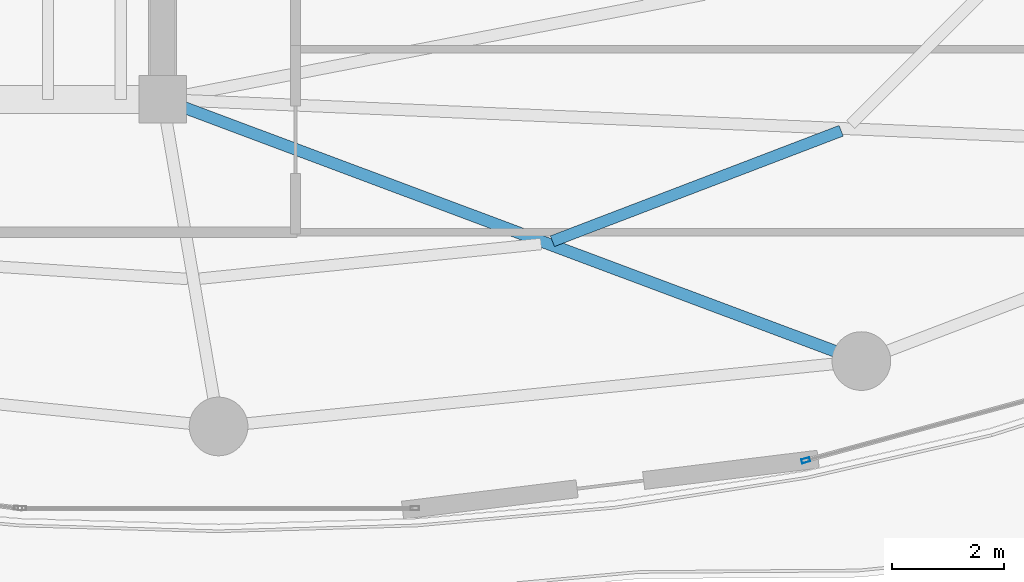
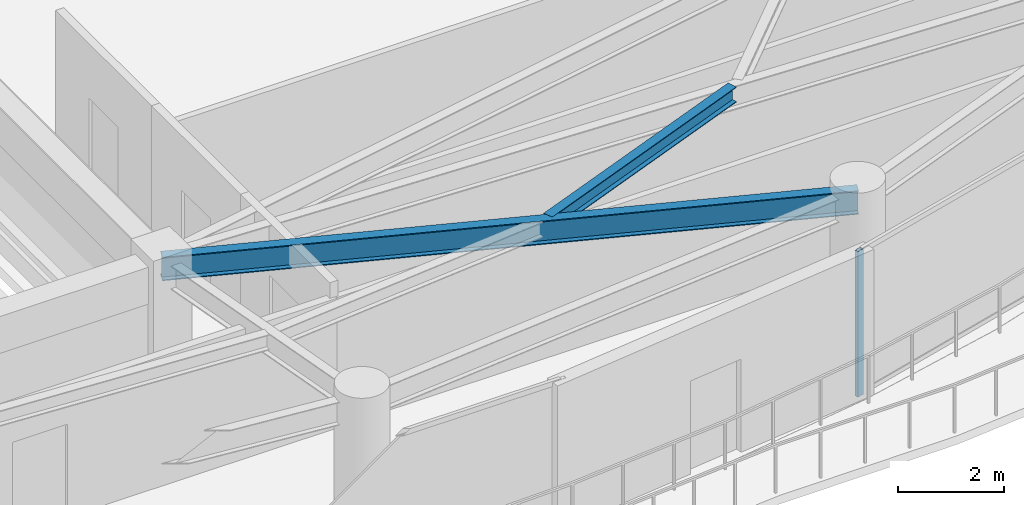
# One storey, part 10 of 28: 2 beams, 1 member, 1 element without a shape of its own.
"""IFC4 building model written with IfcOpenShell, lengths in metres."""

from ifc_helpers import new_model, si_unit, direction, frame, origin, origin_2d, place, context, subcontext, project, spatial, hollow_rectangle, i_section, extrude, material, layer, layer_set, material_profile, profile_set, type_object, element, aggregate, save


model = new_model("IFC4")

# Units and contexts
model_context = context("Model", 3, precision=1e-05, world=origin(), true_north=direction((0.0, 1.0)))
body_context = subcontext(model_context, "Body", "Model", "MODEL_VIEW")
ifc_project = project(units=[si_unit("LENGTHUNIT", "METRE"), si_unit("AREAUNIT", "SQUARE_METRE"), si_unit("VOLUMEUNIT", "CUBIC_METRE"), si_unit("PLANEANGLEUNIT", "RADIAN"), si_unit("MASSUNIT", "GRAM", prefix="KILO")], contexts=[model_context])

# Site, building, storey
site_placement = place(None, origin())
site = spatial("IfcSite", under=ifc_project, at=site_placement, CompositionType="ELEMENT")
building_placement = place(site_placement, origin())
building = spatial("IfcBuilding", under=site, at=building_placement, Name="Kazevale Care Tower and Concert Hall", CompositionType="ELEMENT")
storey_placement = place(building_placement, frame((0.0, 0.0, 228.0)))
storey = spatial("IfcBuildingStorey", under=building, at=storey_placement, Name="L60", CompositionType="ELEMENT", Elevation=228.0)

# Curtain wall, member
ifc_material_1 = material(Name="Aluminium 6063-T6 and Low-E Glass", Category="aluminium")
ifc_layer = layer(ifc_material_1, 0.179931640625)
ifc_layer_set = layer_set([ifc_layer], Name="Aluminium 6063-T6 and Low-E Glass")
curtain_wall_type = type_object("IfcCurtainWallType", Name="Sheltered Concave Balcony Curtain Wall CW-5", PredefinedType="NOTDEFINED", material=ifc_layer_set)
curtain_wall_placement = place(storey_placement, origin())
curtain_wall = element("IfcCurtainWall", 1, at=curtain_wall_placement, inside=storey, type_object=curtain_wall_type, Name="cw:L60:f04", PredefinedType="NOTDEFINED")
ifc_material_2 = material(Name="Aluminium 6063-T6", Category="aluminium")
ifc_material_profile_1 = material_profile(ifc_material_2, hollow_rectangle(XDim=0.074951171875, YDim=0.14990234375, WallThickness=0.00390625, at=origin_2d()), Name="ALU75x150x4")
ifc_profile_set_1 = profile_set([ifc_material_profile_1], Name="Aluminium 6063-T6")
member_type = type_object("IfcMemberType", Name="CW-5 Mullion ALU75x150x4", PredefinedType="MULLION", material=ifc_profile_set_1)
member_placement = place(storey_placement, frame((55.505126953125, 17.142822265625, 0.0), z_axis=(0.0, 0.0, 1.0), x_axis=(0.262848968947, -0.964836991167, 0.0)))
member = element("IfcMember", 2, at=member_placement, type_object=member_type, Name="CW-5 mullion 2", PredefinedType="MULLION", context=body_context, shape_type="SweptSolid", body=[
    extrude(hollow_rectangle(XDim=0.074951171875, YDim=0.14990234375, WallThickness=0.00390625, at=origin_2d()), origin(), (0.0, 0.0, 1.0), 3.360107421875),
])
aggregate(curtain_wall, [member])

# Beams
ifc_material_3 = material(Name="Steel ASTM A572 Gr 50", Category="steel")
ifc_material_profile_2 = material_profile(ifc_material_3, i_section(OverallWidth=0.2119140625, OverallDepth=0.5439453125, WebThickness=0.01318359375, FlangeThickness=0.021240234375, at=origin_2d()), Name="W530x123")
ifc_profile_set_2 = profile_set([ifc_material_profile_2], Name="Steel ASTM A572 Gr 50")
beam_type_1 = type_object("IfcBeamType", Name="Radial Floor Girder W530x123", PredefinedType="BEAM", material=ifc_profile_set_2)
beam_1_placement = place(storey_placement, frame((44.0, 23.60009765625, 3.087890625), z_axis=(0.936509460339, -0.350642311615, 0.0), x_axis=(0.350642311615, 0.936509460339, 0.0)))
element("IfcBeam", 3, at=beam_1_placement, inside=storey, type_object=beam_type_1, Name="beam:L60:rad:14", PredefinedType="BEAM", context=body_context, shape_type="SweptSolid", body=[
    extrude(i_section(OverallWidth=0.2119140625, OverallDepth=0.5439453125, WebThickness=0.01318359375, FlangeThickness=0.021240234375, at=origin_2d()), origin(), (0.0, 0.0, 1.0), 13.347412109375),
])
ifc_material_profile_3 = material_profile(ifc_material_3, i_section(OverallWidth=0.205078125, OverallDepth=0.35400390625, WebThickness=0.009521484375, FlangeThickness=0.016845703125, at=origin_2d()), Name="W360x79")
ifc_profile_set_3 = profile_set([ifc_material_profile_3], Name="Steel ASTM A572 Gr 50")
beam_type_2 = type_object("IfcBeamType", Name="Secondary Floor Joist W360x79", PredefinedType="JOIST", material=ifc_profile_set_3)
beam_2_placement = place(storey_placement, frame((50.972900390625, 21.06396484375, 3.18310546875), z_axis=(0.934001589337, 0.35726884991, 0.0), x_axis=(-0.35726884991, 0.934001589337, 0.0)))
element("IfcBeam", 4, at=beam_2_placement, inside=storey, type_object=beam_type_2, Name="beam:L60:joist:14", PredefinedType="JOIST", context=body_context, shape_type="SweptSolid", body=[
    extrude(i_section(OverallWidth=0.205078125, OverallDepth=0.35400390625, WebThickness=0.009521484375, FlangeThickness=0.016845703125, at=origin_2d()), origin(), (0.0, 0.0, 1.0), 5.531005859375),
])

save(model, "model.ifc")
